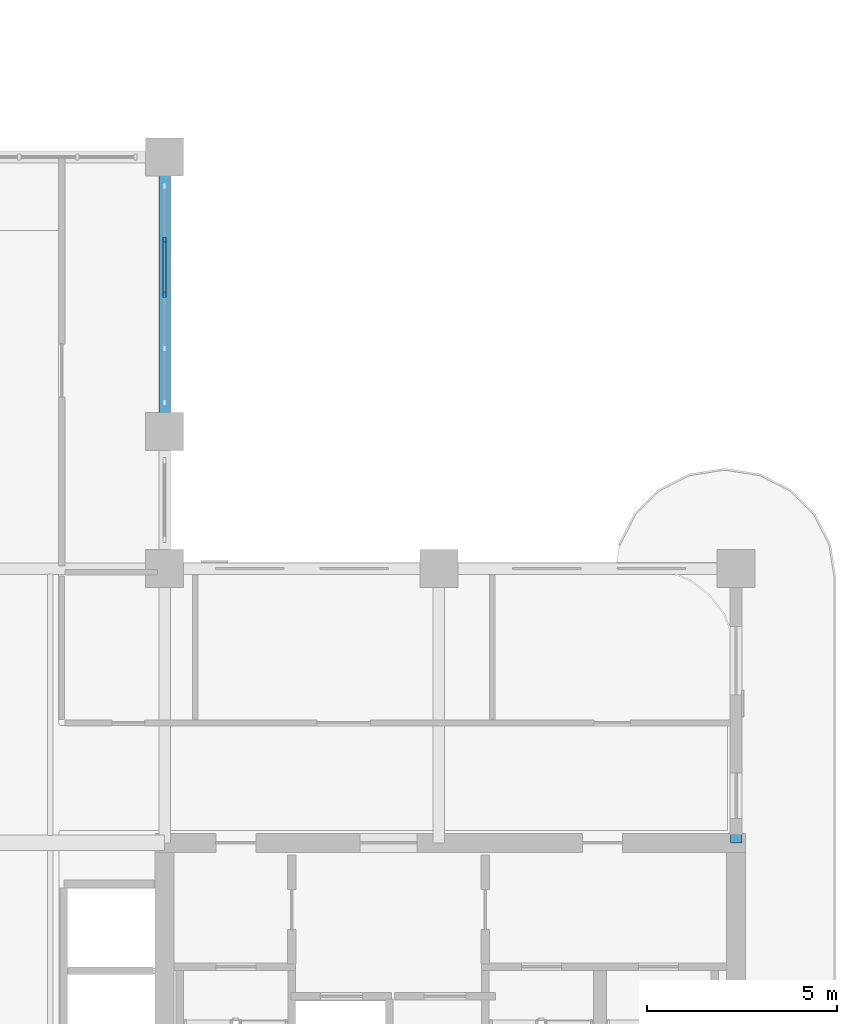
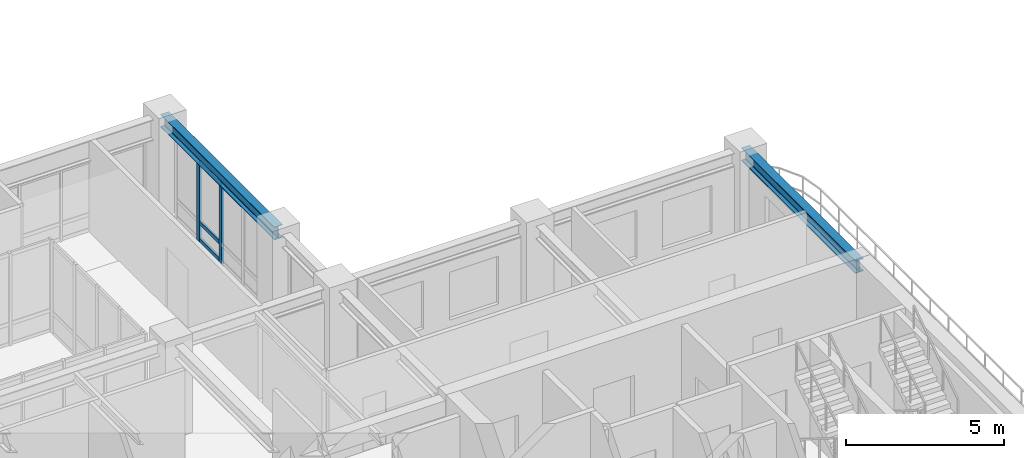
# One storey, part 4 of 20: 5 members, 2 beams, 1 element without a shape of its own.
"""IFC4 building model written with IfcOpenShell, lengths in metres."""

import ifcopenshell
import ifcopenshell.guid

model = None  # the IFC model being written
_history = None  # IfcOwnerHistory: only IFC2X3 demands one
_inside = {}  # id of a spatial element -> (the spatial element, [elements in it])
_under = {}  # id of a project, library or spatial element -> (it, [spatial elements below it])
_declared = {}  # id of a project -> (the project, [libraries it declares])
_typed = {}  # id of a type object -> (the type object, [elements of that type])
_made_of = {}  # id of a material, layer set ... -> (it, [elements and type objects made of it])


def new_model(schema):
    """Start an empty IFC model of exactly this schema.

    Asked for "IFC4X3", IfcOpenShell would pick the latest addendum, in which some entities
    have other attributes; the version numbers below select the first issue.
    IFC2X3 requires an IfcOwnerHistory on every rooted entity: one is made here for all.
    """
    global model, _history
    if schema == "IFC4X3":
        model = ifcopenshell.file(schema_version=(4, 3, 0, 0))
    else:
        model = ifcopenshell.file(schema=schema)
    _inside.clear()
    _under.clear()
    _declared.clear()
    _typed.clear()
    _made_of.clear()
    _history = None
    if model.schema == "IFC2X3":
        org = make("IfcOrganization", Name="unknown")
        user = make(
            "IfcPersonAndOrganization",
            ThePerson=make("IfcPerson", FamilyName="unknown"),
            TheOrganization=org,
        )
        app = make(
            "IfcApplication",
            ApplicationDeveloper=org,
            Version="unknown",
            ApplicationFullName="unknown",
            ApplicationIdentifier="unknown",
        )
        _history = make(
            "IfcOwnerHistory",
            OwningUser=user,
            OwningApplication=app,
            ChangeAction="ADDED",
            CreationDate=0,
        )
    return model


def make(cls, **values):
    """One entity of the class cls with the attributes given. An attribute that is None is left unset."""
    return model.create_entity(
        cls, **{name: value for name, value in values.items() if value is not None}
    )


def rooted(cls, **values):
    """An entity with a GlobalId (a new one), such as an element, a storey or a relation."""
    return make(cls, GlobalId=ifcopenshell.guid.new(), OwnerHistory=_history, **values)


def si_unit(unit_type, name, prefix=None):
    """IfcSIUnit, for example si_unit("LENGTHUNIT", "METRE", prefix="MILLI")."""
    return make("IfcSIUnit", UnitType=unit_type, Prefix=prefix, Name=name)


def derived_unit(unit_type, elements):
    """IfcDerivedUnit: a product of units, each with its exponent."""
    return make(
        "IfcDerivedUnit",
        Elements=[
            make("IfcDerivedUnitElement", Unit=unit, Exponent=power)
            for unit, power in elements
        ],
        UnitType=unit_type,
    )


def assignment(units):
    """IfcUnitAssignment: the units of a project."""
    return None if units is None else make("IfcUnitAssignment", Units=units)


def point(xyz):
    """IfcCartesianPoint."""
    return None if xyz is None else make("IfcCartesianPoint", Coordinates=xyz)


def direction(xyz):
    """IfcDirection."""
    return None if xyz is None else make("IfcDirection", DirectionRatios=xyz)


def frame(location, z_axis=None, x_axis=None):
    """IfcAxis2Placement3D, a coordinate frame: its origin and axes. An axis left out is left unset."""
    return make(
        "IfcAxis2Placement3D",
        Location=point(location),
        Axis=direction(z_axis),
        RefDirection=direction(x_axis),
    )


def frame_2d(location, x_axis=None):
    """IfcAxis2Placement2D, a coordinate frame in the plane: its origin and x axis."""
    return make(
        "IfcAxis2Placement2D", Location=point(location), RefDirection=direction(x_axis)
    )


def origin():
    """The frame at (0, 0, 0) with its axes left unset."""
    return frame((0.0, 0.0, 0.0))


def origin_2d():
    """The frame at (0, 0) in the plane with its x axis left unset."""
    return frame_2d((0.0, 0.0))


def place(relative_to, where):
    """IfcLocalPlacement: puts the frame where relative to a parent placement (None: the world)."""
    return make(
        "IfcLocalPlacement", PlacementRelTo=relative_to, RelativePlacement=where
    )


def context(
    kind, dimensions, precision=None, world=None, true_north=None, identifier=None
):
    """IfcGeometricRepresentationContext, for example the 3D "Model" context."""
    return make(
        "IfcGeometricRepresentationContext",
        ContextIdentifier=identifier,
        ContextType=kind,
        CoordinateSpaceDimension=dimensions,
        Precision=precision,
        WorldCoordinateSystem=world,
        TrueNorth=true_north,
    )


def subcontext(parent, identifier, kind, view, scale=None):
    """IfcGeometricRepresentationSubContext, for example "Body" below "Model"."""
    return make(
        "IfcGeometricRepresentationSubContext",
        ContextIdentifier=identifier,
        ContextType=kind,
        ParentContext=parent,
        TargetScale=scale,
        TargetView=view,
    )


def project(units=None, contexts=None):
    """IfcProject with its units and contexts."""
    return rooted(
        "IfcProject",
        Name="project",
        RepresentationContexts=contexts,
        UnitsInContext=assignment(units),
    )


def spatial(cls, under=None, at=None, **own):
    """A site, building, storey or space (cls), placed at a placement, below another one or the project."""
    s = rooted(cls, ObjectPlacement=at, **own)
    if under is not None:
        _under.setdefault(under.id(), (under, []))[1].append(s)
    return s


def profile(cls, at=None, kind="AREA", **sizes):
    """A parametric profile (cls). Its sizes go by their IFC names, for example OverallWidth=200.0."""
    return make(cls, ProfileType=kind, Position=at, **sizes)


def rectangle(**sizes):
    """IfcRectangleProfileDef."""
    return profile("IfcRectangleProfileDef", **sizes)


def i_section(**sizes):
    """IfcIShapeProfileDef."""
    return profile("IfcIShapeProfileDef", **sizes)


def extrude(swept, where, along, depth):
    """IfcExtrudedAreaSolid: the profile swept, set in the frame where, extruded along a direction by depth."""
    return make(
        "IfcExtrudedAreaSolid",
        SweptArea=swept,
        Position=where,
        ExtrudedDirection=direction(along),
        Depth=depth,
    )


def shape(context_of_items, identifier, shape_type, items):
    """IfcShapeRepresentation: the items that make up one representation, for example the "Body"."""
    return make(
        "IfcShapeRepresentation",
        ContextOfItems=context_of_items,
        RepresentationIdentifier=identifier,
        RepresentationType=shape_type,
        Items=items,
    )


def source(mapping_origin, context_of_items, identifier, shape_type, items):
    """IfcRepresentationMap: a shape defined once, which mapped items show again and again."""
    return make(
        "IfcRepresentationMap",
        MappingOrigin=mapping_origin,
        MappedRepresentation=shape(context_of_items, identifier, shape_type, items),
    )


def transform(
    local_origin,
    x_axis=None,
    y_axis=None,
    z_axis=None,
    scale=None,
    scale2=None,
    scale3=None,
    uniform=True,
):
    """IfcCartesianTransformationOperator3D, or its non-uniform kind. x_axis, y_axis, z_axis: its Axis1, 2, 3."""
    if uniform:
        return make(
            "IfcCartesianTransformationOperator3D",
            Axis1=direction(x_axis),
            Axis2=direction(y_axis),
            LocalOrigin=point(local_origin),
            Scale=scale,
            Axis3=direction(z_axis),
        )
    return make(
        "IfcCartesianTransformationOperator3DnonUniform",
        Axis1=direction(x_axis),
        Axis2=direction(y_axis),
        LocalOrigin=point(local_origin),
        Scale=scale,
        Axis3=direction(z_axis),
        Scale2=scale2,
        Scale3=scale3,
    )


def mapped(mapping_source, mapping_target):
    """IfcMappedItem: shows the shape of a source again, moved by a transform."""
    return make(
        "IfcMappedItem", MappingSource=mapping_source, MappingTarget=mapping_target
    )


def material(Name=None, Category=None):
    """IfcMaterial."""
    return make("IfcMaterial", Name=Name, Category=Category)


def layer(
    of_material, thickness, ventilated=None, Name=None, Category=None, Priority=None
):
    """IfcMaterialLayer: one layer of a wall or slab, of a material (None: an air gap)."""
    return make(
        "IfcMaterialLayer",
        Material=of_material,
        LayerThickness=thickness,
        IsVentilated=ventilated,
        Name=Name,
        Category=Category,
        Priority=Priority,
    )


def layer_set(layers, Name=None):
    """IfcMaterialLayerSet."""
    return make("IfcMaterialLayerSet", MaterialLayers=layers, LayerSetName=Name)


def material_profile(
    of_material, cross_section, Name=None, Category=None, Priority=None
):
    """IfcMaterialProfile: a cross section and its material."""
    return make(
        "IfcMaterialProfile",
        Name=Name,
        Material=of_material,
        Profile=cross_section,
        Priority=Priority,
        Category=Category,
    )


def profile_set(profiles, Name=None, composite=None):
    """IfcMaterialProfileSet."""
    return make(
        "IfcMaterialProfileSet",
        Name=Name,
        MaterialProfiles=profiles,
        CompositeProfile=composite,
    )


def made_of(thing, what):
    """Note that an element or type object is made of a material, layer set ...; save() writes the relation."""
    if what is not None:
        _made_of.setdefault(what.id(), (what, []))[1].append(thing)
    return thing


def type_object(cls, material=None, **own):
    """A type object (cls), such as IfcWallType, which elements share."""
    return made_of(rooted(cls, **own), material)


def type_shapes(of_type, sources):
    """Give a type object the sources (RepresentationMaps) that its elements show as mapped items."""
    of_type.RepresentationMaps = sources


def element(
    cls,
    number,
    at=None,
    inside=None,
    cuts=None,
    type_object=None,
    material=None,
    context=None,
    identifier="Body",
    shape_type=None,
    held_by="IfcProductDefinitionShape",
    body=None,
    shapes=None,
    **own,
):
    """One element of the class cls, such as IfcWall. Its Tag is "e" and its number.

    at: its placement. inside: the storey or other place that contains it. cuts: it is an
    opening in that element (IfcRelVoidsElement). A single representation is given by context,
    identifier, shape_type and body (its items); several are given by shapes. held_by: the class
    of the entity that holds the representations. save() writes the other relations.
    """
    e = rooted(cls, Tag="e%d" % number, ObjectPlacement=at, **own)
    if body is not None:
        shapes = [shape(context, identifier, shape_type, body)]
    if shapes is not None:
        e.Representation = make(held_by, Representations=shapes)
    if inside is not None:
        _inside.setdefault(inside.id(), (inside, []))[1].append(e)
    if cuts is not None:
        rooted(
            "IfcRelVoidsElement", RelatingBuildingElement=cuts, RelatedOpeningElement=e
        )
    if type_object is not None:
        _typed.setdefault(type_object.id(), (type_object, []))[1].append(e)
    return made_of(e, material)


def aggregate(whole, parts):
    """IfcRelAggregates: a whole, such as a stair, and the parts it consists of."""
    return rooted("IfcRelAggregates", RelatingObject=whole, RelatedObjects=parts)


def save(model, path):
    """Write the relations noted so far, then the file.

    IfcRelAggregates (storeys below a building ...), IfcRelContainedInSpatialStructure (elements
    in a storey), IfcRelDefinesByType, IfcRelAssociatesMaterial and IfcRelDeclares: one each for
    every whole, place, type object, material and project.
    """
    for whole, parts in _under.values():
        aggregate(whole, parts)
    for where, things in _inside.values():
        rooted(
            "IfcRelContainedInSpatialStructure",
            RelatedElements=things,
            RelatingStructure=where,
        )
    for kind, things in _typed.values():
        rooted("IfcRelDefinesByType", RelatedObjects=things, RelatingType=kind)
    for what, things in _made_of.values():
        rooted("IfcRelAssociatesMaterial", RelatedObjects=things, RelatingMaterial=what)
    for by, libraries in _declared.values():
        rooted("IfcRelDeclares", RelatingContext=by, RelatedDefinitions=libraries)
    model.write(path)


model = new_model("IFC4")

# Units and contexts
model_context = context("Model", 3, precision=1e-05, world=origin(), true_north=direction((0.0, 1.0)))
body_context = subcontext(model_context, "Body", "Model", "MODEL_VIEW")
ifc_project = project(units=[si_unit("LENGTHUNIT", "METRE"), si_unit("AREAUNIT", "SQUARE_METRE"), si_unit("VOLUMEUNIT", "CUBIC_METRE"), si_unit("PLANEANGLEUNIT", "RADIAN"), si_unit("MASSUNIT", "GRAM", prefix="KILO"), si_unit("THERMODYNAMICTEMPERATUREUNIT", "KELVIN"), si_unit("POWERUNIT", "WATT"), derived_unit("THERMALTRANSMITTANCEUNIT", [(si_unit("POWERUNIT", "WATT"), 1), (si_unit("AREAUNIT", "SQUARE_METRE"), -1), (si_unit("THERMODYNAMICTEMPERATUREUNIT", "KELVIN"), -1)])], contexts=[model_context])

# Site, building, storey
site_placement = place(None, origin())
site = spatial("IfcSite", under=ifc_project, at=site_placement, CompositionType="ELEMENT")
building_placement = place(site_placement, origin())
building = spatial("IfcBuilding", under=site, at=building_placement, Name="Zahravan Archway Hotel and Residences", CompositionType="ELEMENT")
storey_placement = place(building_placement, frame((0.0, 0.0, 161.85009765625)))
storey = spatial("IfcBuildingStorey", under=building, at=storey_placement, Name="L40", CompositionType="ELEMENT", Elevation=161.85009765625)

# Beams
ifc_material_1 = material(Name="Structural Steel S355JR", Category="steel")
ifc_material_profile_1 = material_profile(ifc_material_1, i_section(OverallWidth=0.300048828125, OverallDepth=0.5, WebThickness=0.014404296875, FlangeThickness=0.028076171875, FilletRadius=0.027099609375, at=origin_2d()), Name="HEB 500", Category="steel")
ifc_profile_set_1 = profile_set([ifc_material_profile_1], Name="Structural Steel S355JR")
beam_type = type_object("IfcBeamType", Name="BM-PRI-HEB500", PredefinedType="BEAM", material=ifc_profile_set_1)
shared_shape_1 = source(origin(), body_context, "Body", "SweptSolid", [
    extrude(i_section(OverallWidth=0.300048828125, OverallDepth=0.5, WebThickness=0.014404296875, FlangeThickness=0.028076171875, FilletRadius=0.027099609375, at=origin_2d()), origin(), (0.0, 0.0, 1.0), 7.2001953125),
])
type_shapes(beam_type, [shared_shape_1])
beam_1_placement = place(storey_placement, frame((49.800048828125, 14.39990234375, 3.349853515625), z_axis=(0.0, 1.0, 0.0), x_axis=(-1.0, 0.0, 0.0)))
element("IfcBeam", 1, at=beam_1_placement, inside=storey, type_object=beam_type, Name="L40 Primary Girder NS-45", PredefinedType="BEAM", context=body_context, shape_type="MappedRepresentation", body=[
    mapped(shared_shape_1, transform((0.0, 0.0, 0.0), scale=1.0)),
])
shared_shape_2 = source(origin(), body_context, "Body", "SweptSolid", [
    extrude(i_section(OverallWidth=0.300048828125, OverallDepth=0.5, WebThickness=0.014404296875, FlangeThickness=0.028076171875, FilletRadius=0.027099609375, at=origin_2d()), origin(), (0.0, 0.0, 1.0), 7.199951171875),
])
beam_2_placement = place(storey_placement, frame((34.800048828125, 25.199951171875, 3.349853515625), z_axis=(0.0, 1.0, 0.0), x_axis=(-1.0, 0.0, 0.0)))
element("IfcBeam", 2, at=beam_2_placement, inside=storey, type_object=beam_type, Name="L40 Primary Girder NS-43", PredefinedType="BEAM", context=body_context, shape_type="MappedRepresentation", body=[
    mapped(shared_shape_2, transform((0.0, 0.0, 0.0), scale=1.0)),
])

# Curtain wall, members
ifc_material_2 = material(Name="Bronze-Anodized Unitised Aluminium & Low-E Glass", Category="aluminium")
ifc_layer = layer(ifc_material_2, 0.179931640625, Name="Bronze-Anodized Unitised Aluminium & Low-E Glass", Category="aluminium")
ifc_layer_set = layer_set([ifc_layer], Name="Bronze-Anodized Unitised Aluminium & Low-E Glass")
curtain_wall_type = type_object("IfcCurtainWallType", Name="CW-TWR-FEAT", PredefinedType="NOTDEFINED", material=ifc_layer_set)
curtain_wall_placement = place(storey_placement, origin())
curtain_wall = element("IfcCurtainWall", 3, at=curtain_wall_placement, inside=storey, type_object=curtain_wall_type, Name="L40 Curtain Wall CW-L40-HNG-E-2", PredefinedType="NOTDEFINED")
ifc_material_3 = material(Name="Bronze-Anodized Extruded Aluminium", Category="aluminium")
ifc_material_profile_2 = material_profile(ifc_material_3, rectangle(XDim=0.080078125, YDim=0.139892578125, at=origin_2d()), Name="TRN 80x140", Category="aluminium")
ifc_profile_set_2 = profile_set([ifc_material_profile_2], Name="Bronze-Anodized Extruded Aluminium")
member_type_1 = type_object("IfcMemberType", Name="CWM-TRN-140", PredefinedType="USERDEFINED", material=ifc_profile_set_2)
shared_shape_3 = source(origin(), body_context, "Body", "SweptSolid", [
    extrude(rectangle(XDim=0.080078125, YDim=0.139892578125, at=origin_2d()), origin(), (0.0, 0.0, 1.0), 1.33984375),
])
member_1_placement = place(storey_placement, frame((34.800048828125, 28.840087890625, 0.06982421875), z_axis=(0.0, 1.0, 0.0), x_axis=(-1.0, 0.0, 0.0)))
member_1 = element("IfcMember", 4, at=member_1_placement, type_object=member_type_1, Name="CW-L40-HNG-E-2 Transom 2-1", ObjectType="TRANSOM", PredefinedType="USERDEFINED", context=body_context, shape_type="MappedRepresentation", body=[
    mapped(shared_shape_3, transform((0.0, 0.0, 0.0), scale=1.0)),
])
member_2_placement = place(storey_placement, frame((34.800048828125, 28.840087890625, 0.740234375), z_axis=(0.0, 1.0, 0.0), x_axis=(-1.0, 0.0, 0.0)))
member_2 = element("IfcMember", 5, at=member_2_placement, type_object=member_type_1, Name="CW-L40-HNG-E-2 Transom 2-2", ObjectType="TRANSOM", PredefinedType="USERDEFINED", context=body_context, shape_type="MappedRepresentation", body=[
    mapped(shared_shape_3, transform((0.0, 0.0, 0.0), scale=1.0)),
])
member_3_placement = place(storey_placement, frame((34.800048828125, 28.840087890625, 3.014892578125), z_axis=(0.0, 1.0, 0.0), x_axis=(-1.0, 0.0, 0.0)))
member_3 = element("IfcMember", 6, at=member_3_placement, type_object=member_type_1, Name="CW-L40-HNG-E-2 Transom 2-3", ObjectType="TRANSOM", PredefinedType="USERDEFINED", context=body_context, shape_type="MappedRepresentation", body=[
    mapped(shared_shape_3, transform((0.0, 0.0, 0.0), scale=1.0)),
])
ifc_material_profile_3 = material_profile(ifc_material_3, rectangle(XDim=0.080078125, YDim=0.159912109375, at=origin_2d()), Name="MUL 80x160", Category="aluminium")
ifc_profile_set_3 = profile_set([ifc_material_profile_3], Name="Bronze-Anodized Extruded Aluminium")
member_type_2 = type_object("IfcMemberType", Name="CWM-MUL-160", PredefinedType="MULLION", material=ifc_profile_set_3)
shared_shape_4 = source(origin(), body_context, "Body", "SweptSolid", [
    extrude(rectangle(XDim=0.080078125, YDim=0.159912109375, at=origin_2d()), origin(), (0.0, 0.0, 1.0), 3.0849609375),
])
member_4_placement = place(storey_placement, frame((34.800048828125, 28.800048828125, 0.0), z_axis=(0.0, 0.0, 1.0), x_axis=(1.0, 0.0, 0.0)))
member_4 = element("IfcMember", 7, at=member_4_placement, type_object=member_type_2, Name="CW-L40-HNG-E-2 Mullion 2", PredefinedType="MULLION", context=body_context, shape_type="MappedRepresentation", body=[
    mapped(shared_shape_4, transform((0.0, 0.0, 0.0), scale=1.0)),
])
member_5_placement = place(storey_placement, frame((34.800048828125, 30.219970703125, 0.0), z_axis=(0.0, 0.0, 1.0), x_axis=(1.0, 0.0, 0.0)))
member_5 = element("IfcMember", 8, at=member_5_placement, type_object=member_type_2, Name="CW-L40-HNG-E-2 Mullion 3", PredefinedType="MULLION", context=body_context, shape_type="MappedRepresentation", body=[
    mapped(shared_shape_4, transform((0.0, 0.0, 0.0), scale=1.0)),
])
aggregate(curtain_wall, [member_4, member_5, member_1, member_2, member_3])

save(model, "model.ifc")
